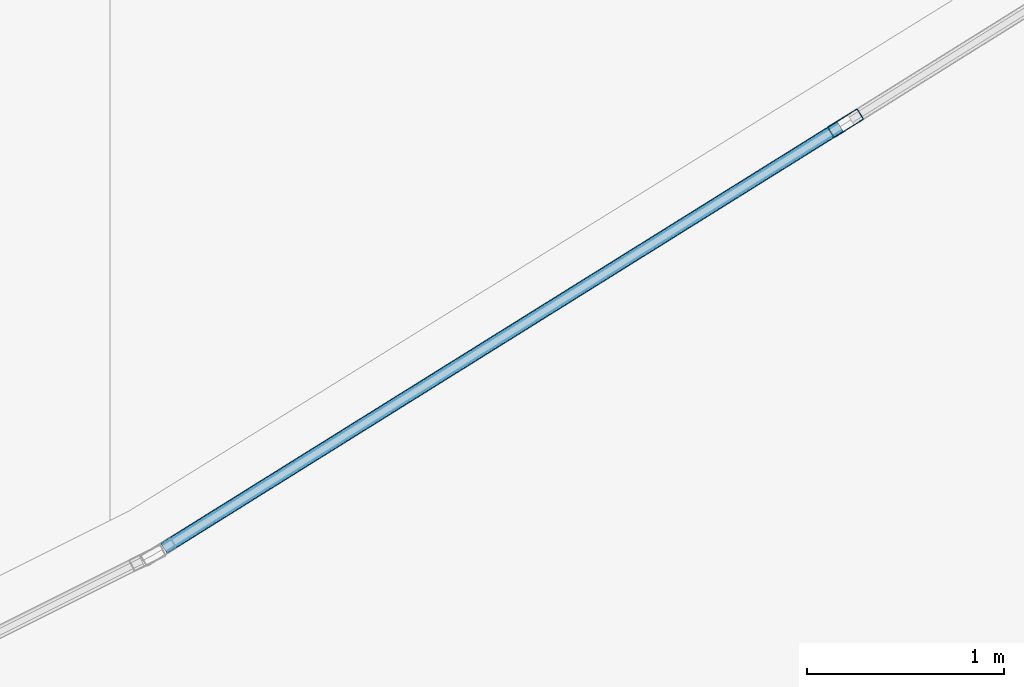
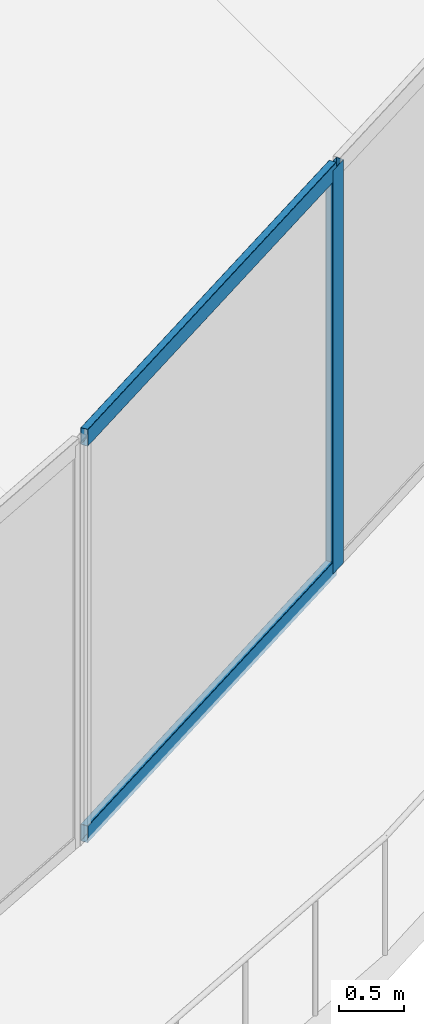
# One storey, part 10 of 37: 3 members, 1 element without a shape of its own.
"""IFC4 building model written with IfcOpenShell, lengths in metres."""

from ifc_helpers import new_model, si_unit, direction, frame, origin, origin_2d, place, context, subcontext, project, spatial, hollow_rectangle, extrude, material, layer, layer_set, material_profile, profile_set, type_object, element, aggregate, save


model = new_model("IFC4")

# Units and contexts
model_context = context("Model", 3, precision=1e-05, world=origin(), true_north=direction((0.0, 1.0)))
body_context = subcontext(model_context, "Body", "Model", "MODEL_VIEW")
ifc_project = project(units=[si_unit("LENGTHUNIT", "METRE"), si_unit("AREAUNIT", "SQUARE_METRE"), si_unit("VOLUMEUNIT", "CUBIC_METRE"), si_unit("PLANEANGLEUNIT", "RADIAN"), si_unit("MASSUNIT", "GRAM", prefix="KILO")], contexts=[model_context])

# Site, building, storey
site_placement = place(None, origin())
site = spatial("IfcSite", under=ifc_project, at=site_placement, CompositionType="ELEMENT")
building_placement = place(site_placement, origin())
building = spatial("IfcBuilding", under=site, at=building_placement, Name="Qorvath Tower", CompositionType="ELEMENT")
storey_placement = place(building_placement, frame((0.0, 0.0, 196.949951171875)))
storey = spatial("IfcBuildingStorey", under=building, at=storey_placement, Name="L45", CompositionType="ELEMENT", Elevation=196.949951171875)

# Curtain wall, members
ifc_material_1 = material(Name="Anodised aluminium and triple low-E glass", Category="aluminium")
ifc_layer = layer(ifc_material_1, 0.179931640625)
ifc_layer_set = layer_set([ifc_layer], Name="CW-SYS-3")
curtain_wall_type = type_object("IfcCurtainWallType", Name="CW-SYS-3", PredefinedType="NOTDEFINED", material=ifc_layer_set)
curtain_wall_placement = place(storey_placement, origin())
curtain_wall = element("IfcCurtainWall", 1, at=curtain_wall_placement, inside=storey, type_object=curtain_wall_type, Name="Curtain Wall CW-3 CW-T-L45-4.1", PredefinedType="NOTDEFINED")
ifc_material_2 = material(Name="Anodised aluminium 6063-T6", Category="aluminium")
ifc_material_profile_1 = material_profile(ifc_material_2, hollow_rectangle(XDim=0.06494140625, YDim=0.179931640625, WallThickness=0.00341796875, InnerFilletRadius=0.00341796875, OuterFilletRadius=0.007080078125, at=origin_2d()), Name="CWM 180x65")
ifc_profile_set_1 = profile_set([ifc_material_profile_1], Name="Anodised aluminium 6063-T6")
member_type_1 = type_object("IfcMemberType", Name="CWM-180", PredefinedType="MULLION", material=ifc_profile_set_1)
member_1_placement = place(storey_placement, frame((-9.25341796875, -23.590576171875, 0.0), z_axis=(0.0, 0.0, 1.0), x_axis=(-0.529206179006, 0.848493264618, 0.0)))
member_1 = element("IfcMember", 2, at=member_1_placement, type_object=member_type_1, Name="CW-3 mullion 2", PredefinedType="MULLION", context=body_context, shape_type="SweptSolid", body=[
    extrude(hollow_rectangle(XDim=0.06494140625, YDim=0.179931640625, WallThickness=0.00341796875, InnerFilletRadius=0.00341796875, OuterFilletRadius=0.007080078125, at=origin_2d()), origin(), (0.0, 0.0, 1.0), 3.780029296875),
])
ifc_material_3 = material(Name="Anodised aluminium 6063-T6", Category="aluminium")
ifc_material_profile_2 = material_profile(ifc_material_3, hollow_rectangle(XDim=0.06494140625, YDim=0.159912109375, WallThickness=0.00341796875, InnerFilletRadius=0.00341796875, OuterFilletRadius=0.007080078125, at=origin_2d()), Name="CWT 160x65")
ifc_profile_set_2 = profile_set([ifc_material_profile_2], Name="Anodised aluminium 6063-T6")
member_type_2 = type_object("IfcMemberType", Name="CWT-160", PredefinedType="USERDEFINED", material=ifc_profile_set_2)
member_2_placement = place(storey_placement, frame((-12.720458984375, -25.7529296875, 0.032470703125), z_axis=(0.848512223459, 0.529175780474, 0.0), x_axis=(-0.529175780474, 0.848512223459, 0.0)))
member_2 = element("IfcMember", 3, at=member_2_placement, type_object=member_type_2, Name="CW-3 transom 1.1", ObjectType="TRANSOM", PredefinedType="USERDEFINED", context=body_context, shape_type="SweptSolid", body=[
    extrude(hollow_rectangle(XDim=0.06494140625, YDim=0.159912109375, WallThickness=0.00341796875, InnerFilletRadius=0.00341796875, OuterFilletRadius=0.007080078125, at=origin_2d()), origin(), (0.0, 0.0, 1.0), 4.053466796875),
])
member_3_placement = place(storey_placement, frame((-12.720458984375, -25.7529296875, 3.74755859375), z_axis=(0.848512223459, 0.529175780474, 0.0), x_axis=(-0.529175780474, 0.848512223459, 0.0)))
member_3 = element("IfcMember", 4, at=member_3_placement, type_object=member_type_2, Name="CW-3 transom 1.2", ObjectType="TRANSOM", PredefinedType="USERDEFINED", context=body_context, shape_type="SweptSolid", body=[
    extrude(hollow_rectangle(XDim=0.06494140625, YDim=0.159912109375, WallThickness=0.00341796875, InnerFilletRadius=0.00341796875, OuterFilletRadius=0.007080078125, at=origin_2d()), origin(), (0.0, 0.0, 1.0), 4.053466796875),
])
aggregate(curtain_wall, [member_1, member_2, member_3])

save(model, "model.ifc")
